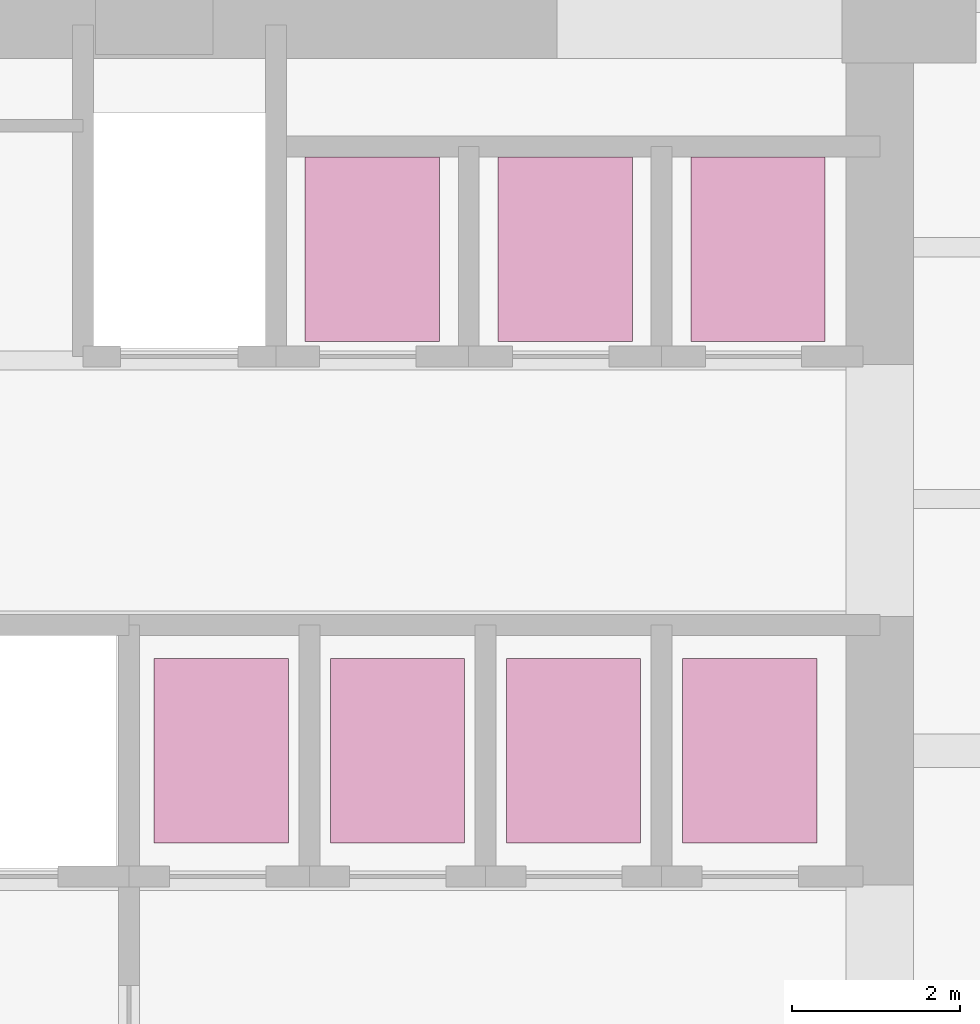
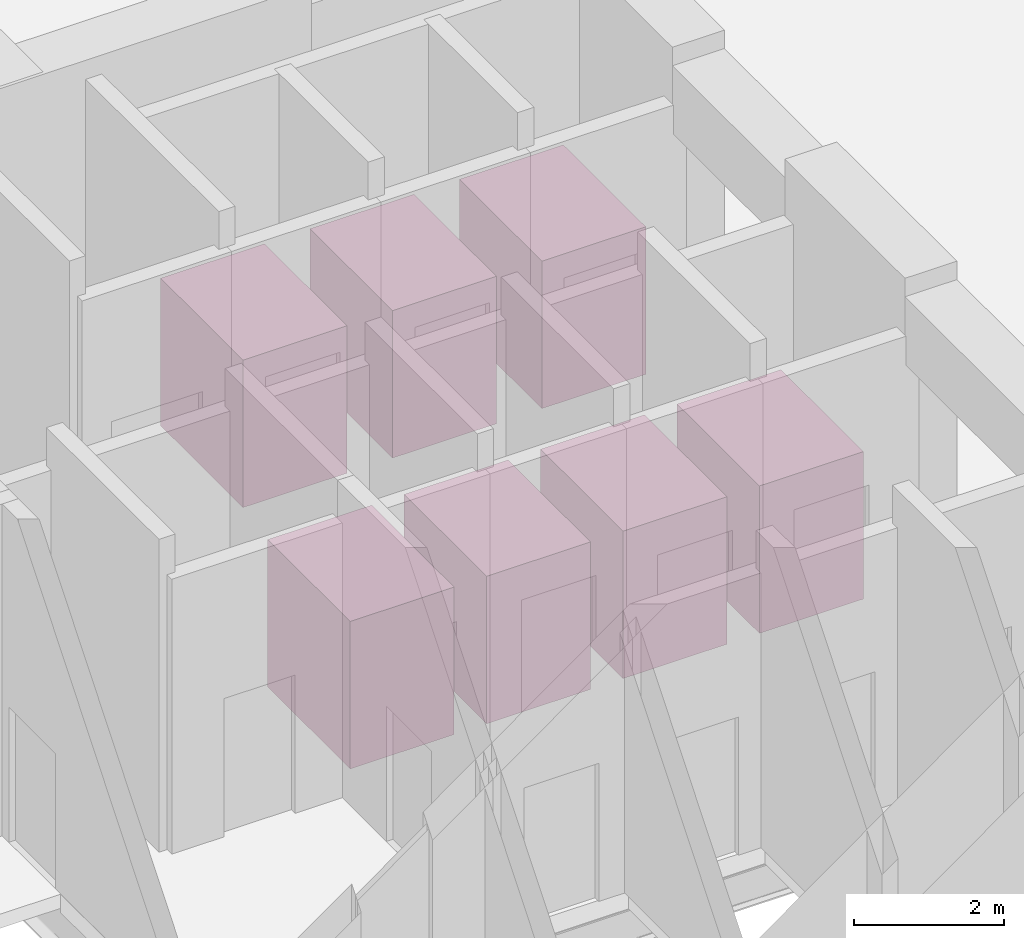
# One storey, part 17 of 17: 7 transport elements.
"""IFC4 building model written with IfcOpenShell, lengths in metres."""

from ifc_helpers import new_model, si_unit, direction, frame, origin, origin_2d, place, context, subcontext, project, spatial, rectangle, extrude, material, type_object, element, save


model = new_model("IFC4")

# Units and contexts
model_context = context("Model", 3, precision=1e-05, world=origin(), true_north=direction((0.0, 1.0)))
body_context = subcontext(model_context, "Body", "Model", "MODEL_VIEW")
ifc_project = project(units=[si_unit("LENGTHUNIT", "METRE"), si_unit("AREAUNIT", "SQUARE_METRE"), si_unit("VOLUMEUNIT", "CUBIC_METRE"), si_unit("PLANEANGLEUNIT", "RADIAN"), si_unit("MASSUNIT", "GRAM", prefix="KILO")], contexts=[model_context])

# Site, building, storey
site_placement = place(None, origin())
site = spatial("IfcSite", under=ifc_project, at=site_placement, CompositionType="ELEMENT")
building_placement = place(site_placement, origin())
building = spatial("IfcBuilding", under=site, at=building_placement, Name="Mawjdan Bourse Tower", CompositionType="ELEMENT")
storey_placement = place(building_placement, origin())
storey = spatial("IfcBuildingStorey", under=building, at=storey_placement, Name="L00", CompositionType="ELEMENT", Elevation=0.0)

# Transport elements
ifc_material = material(Name="Brushed Stainless Steel", Category="steel")
transport_element_type = type_object("IfcTransportElementType", Name="LFT-PAS-1800", PredefinedType="ELEVATOR", material=ifc_material)
for number, where, z_axis, x_axis, name in (
    (1, (15.800048828125, 12.0, 0.0), (0.0, 0.0, 1.0), (1.0, 0.0, 0.0), "Elevator Car PM-01"),
    (2, (17.89990234375, 12.0, 0.0), (0.0, 0.0, 1.0), (1.0, 0.0, 0.0), "Elevator Car PM-02"),
    (3, (20.0, 12.0, 0.0), (0.0, 0.0, 1.0), (1.0, 0.0, 0.0), "Elevator Car PM-03"),
    (4, (22.10009765625, 12.0, 0.0), (0.0, 0.0, 1.0), (1.0, 0.0, 0.0), "Elevator Car PM-04"),
    (5, (17.60009765625, 17.97509765625, 0.0), (0.0, 0.0, 1.0), (1.0, 0.0, 0.0), "Elevator Car PH-01"),
    (6, (19.89990234375, 17.97509765625, 0.0), (0.0, 0.0, 1.0), (1.0, 0.0, 0.0), "Elevator Car PH-02"),
    (7, (22.199951171875, 17.97509765625, 0.0), (0.0, 0.0, 1.0), (1.0, 0.0, 0.0), "Elevator Car PH-03"),
):
    element("IfcTransportElement", number, at=place(storey_placement, frame(where, z_axis=z_axis, x_axis=x_axis)), inside=storey, type_object=transport_element_type, Name=name, PredefinedType="ELEVATOR", context=body_context, shape_type="SweptSolid", body=[
        extrude(rectangle(XDim=1.60009765625, YDim=2.199951171875, at=origin_2d()), origin(), (0.0, 0.0, 1.0), 2.39990234375),
    ])

save(model, "model.ifc")
